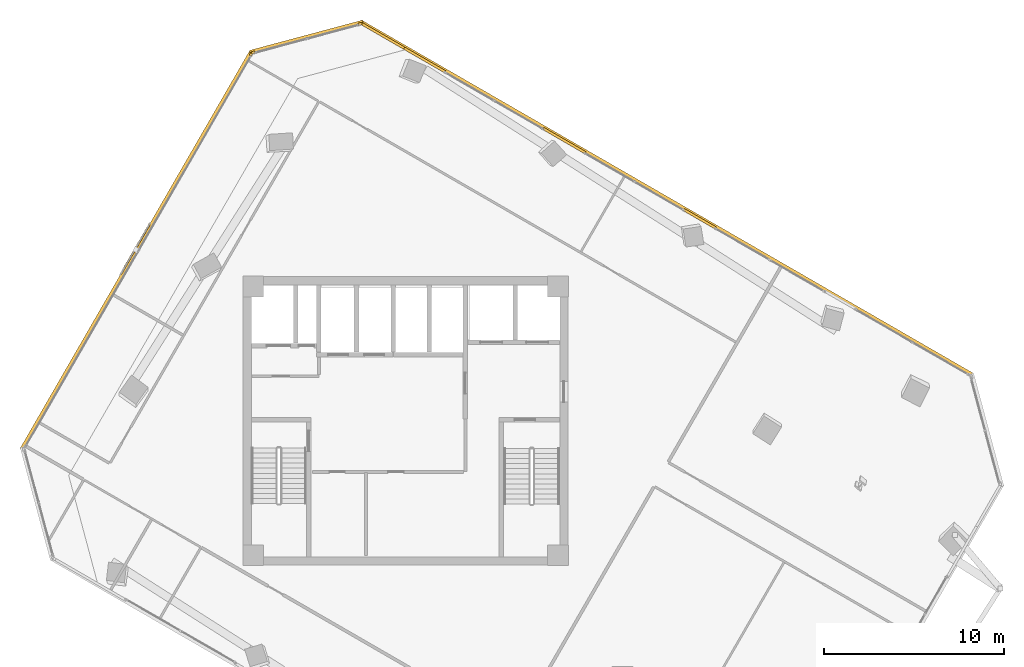
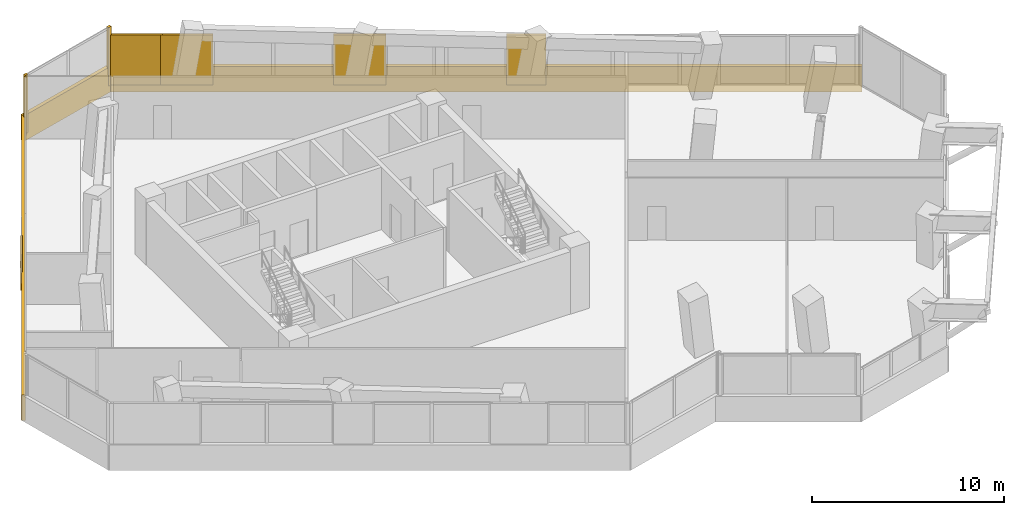
# One storey, part 22 of 22: 10 coverings, 1 shading device.
"""IFC4 building model written with IfcOpenShell, lengths in metres."""

from ifc_helpers import new_model, si_unit, direction, frame, origin, origin_2d, place, context, subcontext, project, spatial, rectangle, extrude, source, transform, mapped, material, layer, layer_set, type_object, element, save


model = new_model("IFC4")

# Units and contexts
model_context = context("Model", 3, precision=1e-05, world=origin(), true_north=direction((0.0, 1.0)))
body_context = subcontext(model_context, "Body", "Model", "MODEL_VIEW")
ifc_project = project(units=[si_unit("LENGTHUNIT", "METRE"), si_unit("AREAUNIT", "SQUARE_METRE"), si_unit("VOLUMEUNIT", "CUBIC_METRE"), si_unit("PLANEANGLEUNIT", "RADIAN"), si_unit("MASSUNIT", "GRAM", prefix="KILO")], contexts=[model_context])

# Site, building, storey
site_placement = place(None, origin())
site = spatial("IfcSite", under=ifc_project, at=site_placement, CompositionType="ELEMENT")
building_placement = place(site_placement, origin())
building = spatial("IfcBuilding", under=site, at=building_placement, Name="Torre Montelarca", CompositionType="ELEMENT")
storey_placement = place(building_placement, frame((0.0, 0.0, 183.39990234375)))
storey = spatial("IfcBuildingStorey", under=building, at=storey_placement, Name="L41", CompositionType="ELEMENT", Elevation=183.39990234375)

# Coverings
ifc_material_1 = material(Name="Bush-hammered warm white precast concrete C45/55", Category="concrete")
ifc_layer_1 = layer(ifc_material_1, 0.139892578125, Name="Bush-hammered warm white precast concrete C45/55", Category="concrete")
ifc_layer_set_1 = layer_set([ifc_layer_1], Name="Bush-hammered warm white precast concrete C45/55")
covering_type = type_object("IfcCoveringType", Name="COV-TRAY-CLAD", PredefinedType="CLADDING", material=ifc_layer_set_1)
shared_shape_1 = source(origin(), body_context, "Body", "SweptSolid", [
    extrude(rectangle(XDim=6.48388671875, YDim=0.219970703125, at=origin_2d()), origin(), (0.0, 0.0, 1.0), 1.6201171875),
])
covering_1_placement = place(storey_placement, frame((12.504638671875, 53.277099609375, -0.449951171875), z_axis=(0.0, 0.0, 1.0), x_axis=(-0.965926278012, -0.258817359244, 0.0)))
element("IfcCovering", 1, at=covering_1_placement, inside=storey, type_object=covering_type, Name="L41 Architectural White Spandrel Tray Band TRYBOT-09", PredefinedType="CLADDING", context=body_context, shape_type="MappedRepresentation", body=[
    mapped(shared_shape_1, transform((0.0, 0.0, 0.0), scale=1.0)),
])
shared_shape_2 = source(origin(), body_context, "Body", "SweptSolid", [
    extrude(rectangle(XDim=25.52001953125, YDim=0.219970703125, at=origin_2d()), origin(), (0.0, 0.0, 1.0), 1.6201171875),
])
covering_2_placement = place(storey_placement, frame((3.099365234375, 41.468994140625, -0.449951171875), z_axis=(0.0, 0.0, 1.0), x_axis=(-0.500001511499, -0.866024531118, 0.0)))
element("IfcCovering", 2, at=covering_2_placement, inside=storey, type_object=covering_type, Name="L41 Architectural White Spandrel Tray Band TRYBOT-10", PredefinedType="CLADDING", context=body_context, shape_type="MappedRepresentation", body=[
    mapped(shared_shape_2, transform((0.0, 0.0, 0.0), scale=1.0)),
])

# Shading device
ifc_material_2 = material(Name="Architectural perforated terracotta ceramic", Category="masonry")
ifc_layer_2 = layer(ifc_material_2, 0.080078125, Name="Architectural perforated terracotta ceramic", Category="masonry")
ifc_layer_set_2 = layer_set([ifc_layer_2], Name="Architectural perforated terracotta ceramic")
shading_device_type = type_object("IfcShadingDeviceType", Name="SHD-JALOUSIE-1", PredefinedType="JALOUSIE", material=ifc_layer_set_2)
shared_shape_3 = source(origin(), body_context, "Body", "SweptSolid", [
    extrude(rectangle(XDim=3.199951171875, YDim=0.10009765625, at=origin_2d()), origin(), (0.0, 0.0, 1.0), 1.25),
])
shading_device_placement = place(storey_placement, frame((3.00390625, 41.52392578125, -0.0048828125), z_axis=(0.0, 0.0, 1.0), x_axis=(-0.500001511499, -0.866024531118, 0.0)))
element("IfcShadingDevice", 3, at=shading_device_placement, inside=storey, type_object=shading_device_type, Name="L41 Facade Solar Shading Device E10", PredefinedType="JALOUSIE", context=body_context, shape_type="MappedRepresentation", body=[
    mapped(shared_shape_3, transform((0.0, 0.0, 0.0), scale=1.0)),
])

# Coverings
shared_shape_4 = source(origin(), body_context, "Body", "SweptSolid", [
    extrude(rectangle(XDim=0.199951171875, YDim=0.139892578125, at=origin_2d()), origin(), (0.0, 0.0, 1.0), 3.719970703125),
])
for number, where, z_axis, x_axis, name in (
    (4, (15.481689453125, 54.0126953125, 0.0), (0.0, 0.0, 1.0), (-0.965925826289, -0.258819045103, 0.0), "L41 Architectural Column Pier Cladding E09-1"),
    (5, (9.55859375, 52.425537109375, 0.0), (0.0, 0.0, 1.0), (-0.965925826289, -0.258819045103, 0.0), "L41 Architectural Column Pier Cladding E09-2"),
    (6, (9.443359375, 52.337158203125, 0.0), (0.0, 0.0, 1.0), (-0.500001511499, -0.866024531118, 0.0), "L41 Architectural Column Pier Cladding E10-1"),
):
    element("IfcCovering", number, at=place(storey_placement, frame(where, z_axis=z_axis, x_axis=x_axis)), inside=storey, type_object=covering_type, Name=name, PredefinedType="CLADDING", context=body_context, shape_type="MappedRepresentation", body=[
        mapped(shared_shape_4, transform((0.0, 0.0, 0.0), scale=1.0)),
    ])
shared_shape_5 = source(origin(), body_context, "Body", "SweptSolid", [
    extrude(rectangle(XDim=39.219970703125, YDim=0.219970703125, at=origin_2d()), origin(), (0.0, 0.0, 1.0), 1.6201171875),
])
covering_3_placement = place(storey_placement, frame((32.486083984375, 44.32861328125, -0.449951171875), z_axis=(0.0, 0.0, 1.0), x_axis=(-0.866025403784, 0.5, 0.0)))
element("IfcCovering", 7, at=covering_3_placement, inside=storey, type_object=covering_type, Name="L41 Architectural White Spandrel Tray Band TRYBOT-08", PredefinedType="CLADDING", context=body_context, shape_type="MappedRepresentation", body=[
    mapped(shared_shape_5, transform((0.0, 0.0, 0.0), scale=1.0)),
])
shared_shape_6 = source(origin(), body_context, "Body", "SweptSolid", [
    extrude(rectangle(XDim=2.06005859375, YDim=0.139892578125, at=origin_2d()), origin(), (0.0, 0.0, 1.0), 3.175048828125),
])
covering_4_placement = place(storey_placement, frame((34.318115234375, 43.20166015625, 0.0), z_axis=(0.0, 0.0, 1.0), x_axis=(-0.866025403784, 0.5, 0.0)))
element("IfcCovering", 8, at=covering_4_placement, inside=storey, type_object=covering_type, Name="L41 Architectural Column Pier Cladding E08-3", PredefinedType="CLADDING", context=body_context, shape_type="MappedRepresentation", body=[
    mapped(shared_shape_6, transform((0.0, 0.0, 0.0), scale=1.0)),
])
shared_shape_7 = source(origin(), body_context, "Body", "SweptSolid", [
    extrude(rectangle(XDim=2.72412109375, YDim=0.139892578125, at=origin_2d()), origin(), (0.0, 0.0, 1.0), 3.175048828125),
])
covering_5_placement = place(storey_placement, frame((26.8115234375, 47.53564453125, 0.0), z_axis=(0.0, 0.0, 1.0), x_axis=(-0.866025403784, 0.5, 0.0)))
element("IfcCovering", 9, at=covering_5_placement, inside=storey, type_object=covering_type, Name="L41 Architectural Column Pier Cladding E08-4", PredefinedType="CLADDING", context=body_context, shape_type="MappedRepresentation", body=[
    mapped(shared_shape_7, transform((0.0, 0.0, 0.0), scale=1.0)),
])
shared_shape_8 = source(origin(), body_context, "Body", "SweptSolid", [
    extrude(rectangle(XDim=2.732666015625, YDim=0.139892578125, at=origin_2d()), origin(), (0.0, 0.0, 1.0), 3.175048828125),
])
covering_6_placement = place(storey_placement, frame((19.02099609375, 52.033447265625, 0.0), z_axis=(0.0, 0.0, 1.0), x_axis=(-0.866025403784, 0.5, 0.0)))
element("IfcCovering", 10, at=covering_6_placement, inside=storey, type_object=covering_type, Name="L41 Architectural Column Pier Cladding E08-5", PredefinedType="CLADDING", context=body_context, shape_type="MappedRepresentation", body=[
    mapped(shared_shape_8, transform((0.0, 0.0, 0.0), scale=1.0)),
])
shared_shape_9 = source(origin(), body_context, "Body", "SweptSolid", [
    extrude(rectangle(XDim=2.754150390625, YDim=0.139892578125, at=origin_2d()), origin(), (0.0, 0.0, 1.0), 3.175048828125),
])
covering_7_placement = place(storey_placement, frame((16.731689453125, 53.355224609375, 0.0), z_axis=(0.0, 0.0, 1.0), x_axis=(-0.866025403784, 0.5, 0.0)))
element("IfcCovering", 11, at=covering_7_placement, inside=storey, type_object=covering_type, Name="L41 Architectural Column Pier Cladding E08-6", PredefinedType="CLADDING", context=body_context, shape_type="MappedRepresentation", body=[
    mapped(shared_shape_9, transform((0.0, 0.0, 0.0), scale=1.0)),
])

save(model, "model.ifc")
